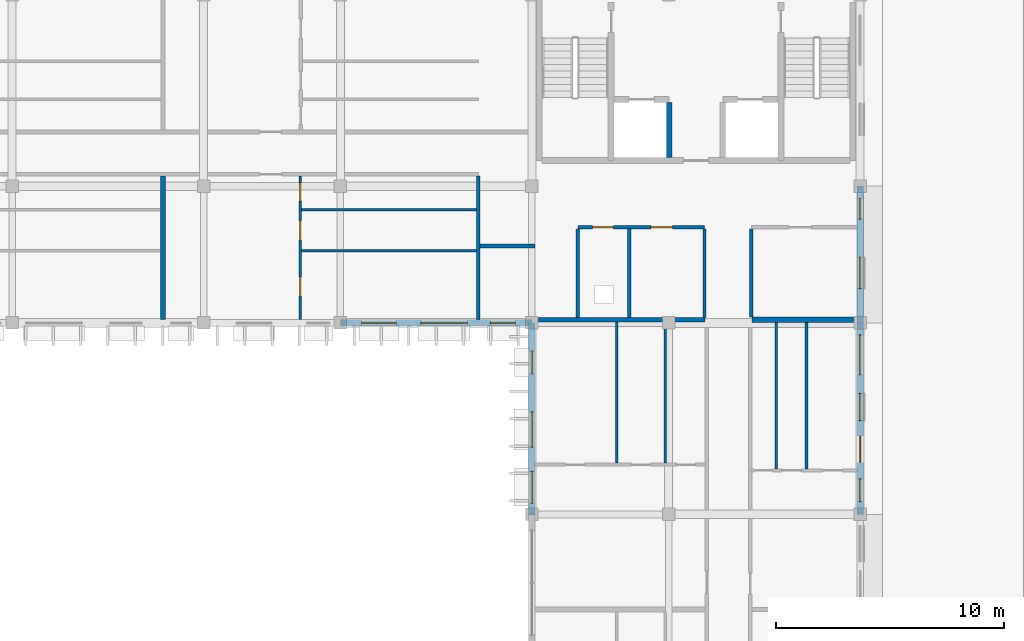
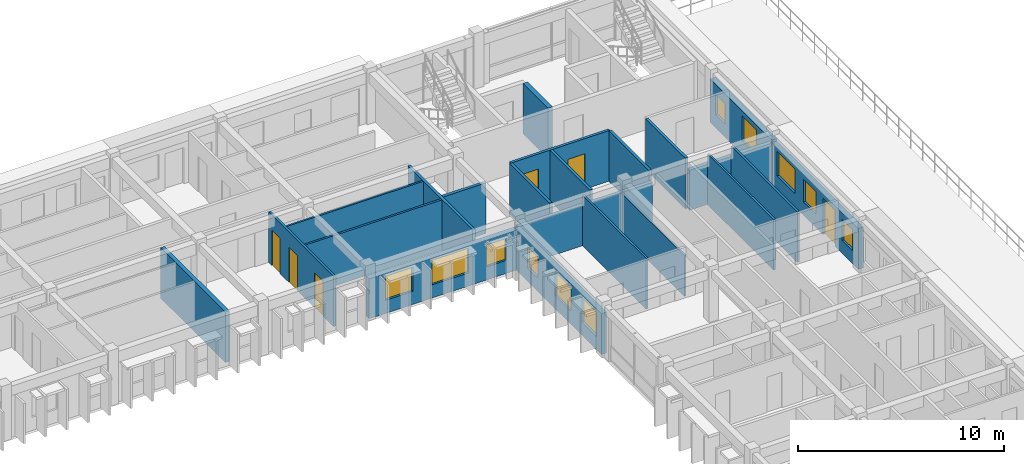
# One storey, part 44 of 68: 22 walls, 11 windows, 6 doors, 17 openings.
"""IFC4 building model written with IfcOpenShell, lengths in metres."""

from ifc_helpers import new_model, si_unit, direction, frame, frame_2d, origin, place, context, subcontext, project, spatial, rectangle, extrude, material, layer, layer_set, type_object, element, fill, save


model = new_model("IFC4")

# Units and contexts
model_context = context("Model", 3, precision=1e-05, world=origin(), true_north=direction((0.0, 1.0)))
body_context = subcontext(model_context, "Body", "Model", "MODEL_VIEW")
ifc_project = project(units=[si_unit("LENGTHUNIT", "METRE"), si_unit("AREAUNIT", "SQUARE_METRE"), si_unit("VOLUMEUNIT", "CUBIC_METRE"), si_unit("PLANEANGLEUNIT", "RADIAN"), si_unit("MASSUNIT", "GRAM", prefix="KILO"), si_unit("THERMODYNAMICTEMPERATUREUNIT", "KELVIN")], contexts=[model_context])

# Site, building, storey
site_placement = place(None, origin())
site = spatial("IfcSite", under=ifc_project, at=site_placement, CompositionType="ELEMENT")
building_placement = place(site_placement, origin())
building = spatial("IfcBuilding", under=site, at=building_placement, Name="Thalorik Housing Commons", CompositionType="ELEMENT")
storey_placement = place(building_placement, frame((0.0, 0.0, 24.60009765625)))
storey = spatial("IfcBuildingStorey", under=building, at=storey_placement, Name="L07", CompositionType="ELEMENT", Elevation=24.60009765625)

# Walls
ifc_material_1 = material(Name="Concrete C40/50", Category="concrete")
ifc_layer_1 = layer(ifc_material_1, 0.25, Name="Concrete C40/50", Category="concrete")
ifc_layer_set_1 = layer_set([ifc_layer_1], Name="Concrete C40/50")
wall_type_1 = type_object("IfcWallType", Name="ARC-WAL-CORE-250", PredefinedType="SHEAR", material=ifc_layer_set_1)
wall_1_placement = place(storey_placement, frame((158.425048828125, 118.875, 0.0), z_axis=(0.0, 0.0, 1.0), x_axis=(0.0, -1.0, 0.0)))
element("IfcWall", 1, at=wall_1_placement, inside=storey, type_object=wall_type_1, Name="L07 Lift 1 Cheek Wall", PredefinedType="SHEAR", context=body_context, shape_type="SweptSolid", body=[
    extrude(rectangle(XDim=2.425048828125, YDim=0.25, at=frame_2d((1.21240234375, 0.0))), origin(), (0.0, 0.0, 1.0), 3.0),
])
ifc_material_2 = material(Name="Masonry fire-rated corridor wall", Category="masonry")
ifc_layer_2 = layer(ifc_material_2, 0.14990234375, Name="Masonry fire-rated corridor wall", Category="masonry")
ifc_layer_set_2 = layer_set([ifc_layer_2], Name="Masonry fire-rated corridor wall")
wall_type_2 = type_object("IfcWallType", Name="ARC-WAL-CORR-150", PredefinedType="PARTITIONING", material=ifc_layer_set_2)
wall_2_placement = place(storey_placement, frame((150.050048828125, 109.346923828125, 0.0), z_axis=(0.0, 0.0, 1.0), x_axis=(0.0, 1.0, 0.0)))
element("IfcWall", 2, at=wall_2_placement, inside=storey, type_object=wall_type_2, Name="L07 Block B Vestibule Cheek Wall", PredefinedType="PARTITIONING", context=body_context, shape_type="SweptSolid", body=[
    extrude(rectangle(XDim=6.296142578125, YDim=0.14990234375, at=frame_2d((3.14794921875, 0.0))), origin(), (0.0, 0.0, 1.0), 3.0),
])
ifc_layer_3 = layer(ifc_material_2, 0.1650390625, Name="Masonry fire-rated corridor wall", Category="masonry")
ifc_layer_set_3 = layer_set([ifc_layer_3], Name="Masonry fire-rated corridor wall")
wall_type_3 = type_object("IfcWallType", Name="ARC-WAL-CORR-165", PredefinedType="PARTITIONING", material=ifc_layer_set_3)
wall_3_placement = place(storey_placement, frame((150.126953125, 112.570068359375, 0.0), z_axis=(0.0, 0.0, 1.0), x_axis=(1.0, 0.0, 0.0)))
element("IfcWall", 3, at=wall_3_placement, inside=storey, type_object=wall_type_3, Name="L07 Block B Vestibule South Wall", PredefinedType="PARTITIONING", context=body_context, shape_type="SweptSolid", body=[
    extrude(rectangle(XDim=2.4130859375, YDim=0.1650390625, at=frame_2d((1.20654296875, 0.0))), origin(), (0.0, 0.0, 1.0), 3.0),
])

# Wall, openings, windows
ifc_material_3 = material(Name="White precast concrete C40/50", Category="concrete")
ifc_layer_4 = layer(ifc_material_3, 0.2900390625, Name="White precast concrete C40/50", Category="concrete")
ifc_layer_set_4 = layer_set([ifc_layer_4], Name="White precast concrete C40/50")
wall_type_4 = type_object("IfcWallType", Name="ARC-WAL-EXT-290", PredefinedType="STANDARD", material=ifc_layer_set_4)
wall_4_placement = place(storey_placement, frame((166.800048828125, 109.199951171875, 0.0), z_axis=(0.0, 0.0, 1.0), x_axis=(0.0, 1.0, 0.0)))
wall_4 = element("IfcWall", 4, at=wall_4_placement, inside=storey, type_object=wall_type_4, Name="L07 Exterior Wall WAL-EXT-L07-B-0635", PredefinedType="STANDARD", context=body_context, shape_type="SweptSolid", body=[
    extrude(rectangle(XDim=6.0, YDim=0.2900390625, at=frame_2d((3.0, 0.0))), origin(), (0.0, 0.0, 1.0), 2.574951171875),
])
opening_1_placement = place(wall_4_placement, frame((1.5048828125, 0.0, 0.780029296875)))
opening_1 = element("IfcOpeningElement", 5, at=opening_1_placement, cuts=wall_4, Name="Opening W-49", PredefinedType="OPENING", context=body_context, shape_type="SweptSolid", body=[
    extrude(rectangle(XDim=1.3798828125, YDim=1.47998046875, at=frame_2d((0.68994140625, 0.739990234375))), frame((0.0, 0.155029296875, 0.0), z_axis=(0.0, -1.0, 0.0), x_axis=(1.0, 0.0, 0.0)), (0.0, 0.0, 1.0), 0.31005859375),
])
opening_2_placement = place(wall_4_placement, frame((4.554931640625, 0.0, 0.780029296875)))
opening_2 = element("IfcOpeningElement", 6, at=opening_2_placement, cuts=wall_4, Name="Opening W-01", PredefinedType="OPENING", context=body_context, shape_type="SweptSolid", body=[
    extrude(rectangle(XDim=0.89990234375, YDim=1.199951171875, at=frame_2d((0.449951171875, 0.60009765625))), frame((0.0, 0.155029296875, 0.0), z_axis=(0.0, -1.0, 0.0), x_axis=(1.0, 0.0, 0.0)), (0.0, 0.0, 1.0), 0.31005859375),
])
ifc_material_4 = material(Name="Anodised aluminium and solar-control low-E glass", Category="aluminium")
window_type_1 = type_object("IfcWindowType", Name="ARC-WIN-01", PartitioningType="SINGLE_PANEL", PredefinedType="WINDOW", material=ifc_material_4)
window_1_placement = place(opening_2_placement, origin())
window_1 = element("IfcWindow", 7, at=window_1_placement, inside=storey, type_object=window_type_1, Name="L07 Facade Window 1164", OverallHeight=1.199951171875, OverallWidth=0.89990234375, PartitioningType="SINGLE_PANEL", PredefinedType="WINDOW", context=body_context, shape_type="SweptSolid", body=[
    extrude(rectangle(XDim=0.89990234375, YDim=1.199951171875, at=frame_2d((0.449951171875, 0.60009765625))), frame((0.0, 0.030029296875, 0.0), z_axis=(0.0, -1.0, 0.0), x_axis=(1.0, 0.0, 0.0)), (0.0, 0.0, 1.0), 0.06005859375),
])
fill(opening_2, window_1)
window_type_2 = type_object("IfcWindowType", Name="ARC-WIN-49", PartitioningType="SINGLE_PANEL", PredefinedType="WINDOW", material=ifc_material_4)
window_2_placement = place(opening_1_placement, origin())
window_2 = element("IfcWindow", 8, at=window_2_placement, inside=storey, type_object=window_type_2, Name="L07 Facade Window 1163", OverallHeight=1.47998046875, OverallWidth=1.3798828125, PartitioningType="SINGLE_PANEL", PredefinedType="WINDOW", context=body_context, shape_type="SweptSolid", body=[
    extrude(rectangle(XDim=1.3798828125, YDim=1.47998046875, at=frame_2d((0.68994140625, 0.739990234375))), frame((0.0, 0.030029296875, 0.0), z_axis=(0.0, -1.0, 0.0), x_axis=(1.0, 0.0, 0.0)), (0.0, 0.0, 1.0), 0.06005859375),
])
fill(opening_1, window_2)

wall_5_placement = place(storey_placement, frame((144.0, 109.199951171875, 0.0), z_axis=(0.0, 0.0, 1.0), x_axis=(1.0, 0.0, 0.0)))
wall_5 = element("IfcWall", 9, at=wall_5_placement, inside=storey, type_object=wall_type_4, Name="L07 Exterior Wall WAL-EXT-L07-B-0660", PredefinedType="STANDARD", context=body_context, shape_type="SweptSolid", body=[
    extrude(rectangle(XDim=8.39990234375, YDim=0.2900390625, at=frame_2d((4.199951171875, 0.0))), origin(), (0.0, 0.0, 1.0), 2.375),
])
opening_3_placement = place(wall_5_placement, frame((0.929931640625, 0.0, 0.780029296875)))
opening_3 = element("IfcOpeningElement", 10, at=opening_3_placement, cuts=wall_5, Name="Opening W-52", PredefinedType="OPENING", context=body_context, shape_type="SweptSolid", body=[
    extrude(rectangle(XDim=1.52001953125, YDim=1.419921875, at=frame_2d((0.760009765625, 0.7099609375))), frame((0.0, 0.155029296875, 0.0), z_axis=(0.0, -1.0, 0.0), x_axis=(1.0, 0.0, 0.0)), (0.0, 0.0, 1.0), 0.31005859375),
])
opening_4_placement = place(wall_5_placement, frame((3.530029296875, 0.0, 0.780029296875)))
opening_4 = element("IfcOpeningElement", 11, at=opening_4_placement, cuts=wall_5, Name="Opening W-62", PredefinedType="OPENING", context=body_context, shape_type="SweptSolid", body=[
    extrude(rectangle(XDim=2.0400390625, YDim=1.4599609375, at=frame_2d((1.02001953125, 0.72998046875))), frame((0.0, 0.155029296875, 0.0), z_axis=(0.0, -1.0, 0.0), x_axis=(1.0, 0.0, 0.0)), (0.0, 0.0, 1.0), 0.31005859375),
])
opening_5_placement = place(wall_5_placement, frame((6.580078125, 0.0, 0.780029296875)))
opening_5 = element("IfcOpeningElement", 12, at=opening_5_placement, cuts=wall_5, Name="Opening W-03", PredefinedType="OPENING", context=body_context, shape_type="SweptSolid", body=[
    extrude(rectangle(XDim=1.10009765625, YDim=1.300048828125, at=frame_2d((0.550048828125, 0.64990234375))), frame((0.0, 0.155029296875, 0.0), z_axis=(0.0, -1.0, 0.0), x_axis=(1.0, 0.0, 0.0)), (0.0, 0.0, 1.0), 0.31005859375),
])
window_type_3 = type_object("IfcWindowType", Name="ARC-WIN-03", PartitioningType="SINGLE_PANEL", PredefinedType="WINDOW", material=ifc_material_4)
window_3_placement = place(opening_5_placement, origin())
window_3 = element("IfcWindow", 13, at=window_3_placement, inside=storey, type_object=window_type_3, Name="L07 Facade Window 1208", OverallHeight=1.300048828125, OverallWidth=1.10009765625, PartitioningType="SINGLE_PANEL", PredefinedType="WINDOW", context=body_context, shape_type="SweptSolid", body=[
    extrude(rectangle(XDim=1.10009765625, YDim=1.300048828125, at=frame_2d((0.550048828125, 0.64990234375))), frame((0.0, 0.030029296875, 0.0), z_axis=(0.0, -1.0, 0.0), x_axis=(1.0, 0.0, 0.0)), (0.0, 0.0, 1.0), 0.06005859375),
])
fill(opening_5, window_3)
window_type_4 = type_object("IfcWindowType", Name="ARC-WIN-52", PartitioningType="SINGLE_PANEL", PredefinedType="WINDOW", material=ifc_material_4)
window_4_placement = place(opening_3_placement, origin())
window_4 = element("IfcWindow", 14, at=window_4_placement, inside=storey, type_object=window_type_4, Name="L07 Facade Window 1206", OverallHeight=1.419921875, OverallWidth=1.52001953125, PartitioningType="SINGLE_PANEL", PredefinedType="WINDOW", context=body_context, shape_type="SweptSolid", body=[
    extrude(rectangle(XDim=1.52001953125, YDim=1.419921875, at=frame_2d((0.760009765625, 0.7099609375))), frame((0.0, 0.030029296875, 0.0), z_axis=(0.0, -1.0, 0.0), x_axis=(1.0, 0.0, 0.0)), (0.0, 0.0, 1.0), 0.06005859375),
])
fill(opening_3, window_4)
window_type_5 = type_object("IfcWindowType", Name="ARC-WIN-62", PartitioningType="DOUBLE_PANEL_VERTICAL", PredefinedType="WINDOW", material=ifc_material_4)
window_5_placement = place(opening_4_placement, origin())
window_5 = element("IfcWindow", 15, at=window_5_placement, inside=storey, type_object=window_type_5, Name="L07 Facade Window 1207", OverallHeight=1.4599609375, OverallWidth=2.0400390625, PartitioningType="DOUBLE_PANEL_VERTICAL", PredefinedType="WINDOW", context=body_context, shape_type="SweptSolid", body=[
    extrude(rectangle(XDim=2.0400390625, YDim=1.4599609375, at=frame_2d((1.02001953125, 0.72998046875))), frame((0.0, 0.030029296875, 0.0), z_axis=(0.0, -1.0, 0.0), x_axis=(1.0, 0.0, 0.0)), (0.0, 0.0, 1.0), 0.06005859375),
])
fill(opening_4, window_5)

wall_6_placement = place(storey_placement, frame((152.39990234375, 109.199951171875, 0.0), z_axis=(0.0, 0.0, 1.0), x_axis=(0.0, -1.0, 0.0)))
wall_6 = element("IfcWall", 16, at=wall_6_placement, inside=storey, type_object=wall_type_4, Name="L07 Exterior Wall WAL-EXT-L07-B-0661", PredefinedType="STANDARD", context=body_context, shape_type="SweptSolid", body=[
    extrude(rectangle(XDim=8.39990234375, YDim=0.2900390625, at=frame_2d((4.199951171875, 0.0))), origin(), (0.0, 0.0, 1.0), 2.4248046875),
])
opening_6_placement = place(wall_6_placement, frame((1.231201171875, 0.0, 0.780029296875)))
opening_6 = element("IfcOpeningElement", 17, at=opening_6_placement, cuts=wall_6, Name="Opening W-02", PredefinedType="OPENING", context=body_context, shape_type="SweptSolid", body=[
    extrude(rectangle(XDim=1.0, YDim=1.25, at=frame_2d((0.5, 0.625))), frame((0.0, 0.155029296875, 0.0), z_axis=(0.0, -1.0, 0.0), x_axis=(1.0, 0.0, 0.0)), (0.0, 0.0, 1.0), 0.31005859375),
])
opening_7_placement = place(wall_6_placement, frame((3.898681640625, 0.0, 0.780029296875)))
opening_7 = element("IfcOpeningElement", 18, at=opening_7_placement, cuts=wall_6, Name="Opening W-12", PredefinedType="OPENING", context=body_context, shape_type="SweptSolid", body=[
    extrude(rectangle(XDim=1.550048828125, YDim=1.39990234375, at=frame_2d((0.77490234375, 0.699951171875))), frame((0.0, 0.155029296875, 0.0), z_axis=(0.0, -1.0, 0.0), x_axis=(1.0, 0.0, 0.0)), (0.0, 0.0, 1.0), 0.31005859375),
])
opening_8_placement = place(wall_6_placement, frame((6.512451171875, 0.0, 0.780029296875)))
opening_8 = element("IfcOpeningElement", 19, at=opening_8_placement, cuts=wall_6, Name="Opening W-08", PredefinedType="OPENING", context=body_context, shape_type="SweptSolid", body=[
    extrude(rectangle(XDim=1.39990234375, YDim=1.449951171875, at=frame_2d((0.699951171875, 0.72509765625))), frame((0.0, 0.155029296875, 0.0), z_axis=(0.0, -1.0, 0.0), x_axis=(1.0, 0.0, 0.0)), (0.0, 0.0, 1.0), 0.31005859375),
])
window_type_6 = type_object("IfcWindowType", Name="ARC-WIN-02", PartitioningType="SINGLE_PANEL", PredefinedType="WINDOW", material=ifc_material_4)
window_6_placement = place(opening_6_placement, origin())
window_6 = element("IfcWindow", 20, at=window_6_placement, inside=storey, type_object=window_type_6, Name="L07 Facade Window 1209", OverallHeight=1.25, OverallWidth=1.0, PartitioningType="SINGLE_PANEL", PredefinedType="WINDOW", context=body_context, shape_type="SweptSolid", body=[
    extrude(rectangle(XDim=1.0, YDim=1.25, at=frame_2d((0.5, 0.625))), frame((0.0, 0.030029296875, 0.0), z_axis=(0.0, -1.0, 0.0), x_axis=(1.0, 0.0, 0.0)), (0.0, 0.0, 1.0), 0.06005859375),
])
fill(opening_6, window_6)
window_type_7 = type_object("IfcWindowType", Name="ARC-WIN-08", PartitioningType="SINGLE_PANEL", PredefinedType="WINDOW", material=ifc_material_4)
window_7_placement = place(opening_8_placement, origin())
window_7 = element("IfcWindow", 21, at=window_7_placement, inside=storey, type_object=window_type_7, Name="L07 Facade Window 1211", OverallHeight=1.449951171875, OverallWidth=1.39990234375, PartitioningType="SINGLE_PANEL", PredefinedType="WINDOW", context=body_context, shape_type="SweptSolid", body=[
    extrude(rectangle(XDim=1.39990234375, YDim=1.449951171875, at=frame_2d((0.699951171875, 0.72509765625))), frame((0.0, 0.030029296875, 0.0), z_axis=(0.0, -1.0, 0.0), x_axis=(1.0, 0.0, 0.0)), (0.0, 0.0, 1.0), 0.06005859375),
])
fill(opening_8, window_7)
window_type_8 = type_object("IfcWindowType", Name="ARC-WIN-12", PartitioningType="SINGLE_PANEL", PredefinedType="WINDOW", material=ifc_material_4)
window_8_placement = place(opening_7_placement, origin())
window_8 = element("IfcWindow", 22, at=window_8_placement, inside=storey, type_object=window_type_8, Name="L07 Facade Window 1210", OverallHeight=1.39990234375, OverallWidth=1.550048828125, PartitioningType="SINGLE_PANEL", PredefinedType="WINDOW", context=body_context, shape_type="SweptSolid", body=[
    extrude(rectangle(XDim=1.550048828125, YDim=1.39990234375, at=frame_2d((0.77490234375, 0.699951171875))), frame((0.0, 0.030029296875, 0.0), z_axis=(0.0, -1.0, 0.0), x_axis=(1.0, 0.0, 0.0)), (0.0, 0.0, 1.0), 0.06005859375),
])
fill(opening_7, window_8)

# Wall, openings, door, windows
wall_7_placement = place(storey_placement, frame((166.800048828125, 100.800048828125, 0.0), z_axis=(0.0, 0.0, 1.0), x_axis=(0.0, 1.0, 0.0)))
wall_7 = element("IfcWall", 23, at=wall_7_placement, inside=storey, type_object=wall_type_4, Name="L07 Exterior Wall WAL-EXT-L07-B-0670", PredefinedType="STANDARD", context=body_context, shape_type="SweptSolid", body=[
    extrude(rectangle(XDim=8.39990234375, YDim=0.2900390625, at=frame_2d((4.199951171875, 0.0))), origin(), (0.0, 0.0, 1.0), 2.4248046875),
])
opening_9_placement = place(wall_7_placement, frame((2.28076171875, 0.0, 0.0)))
opening_9 = element("IfcOpeningElement", 24, at=opening_9_placement, cuts=wall_7, Name="Opening ED-0221", PredefinedType="OPENING", context=body_context, shape_type="SweptSolid", body=[
    extrude(rectangle(XDim=1.14990234375, YDim=2.14990234375, at=frame_2d((0.574951171875, 1.074951171875))), frame((0.0, 0.155029296875, 0.0), z_axis=(0.0, -1.0, 0.0), x_axis=(1.0, 0.0, 0.0)), (0.0, 0.0, 1.0), 0.31005859375),
])
opening_10_placement = place(wall_7_placement, frame((4.113037109375, 0.0, 0.780029296875)))
opening_10 = element("IfcOpeningElement", 25, at=opening_10_placement, cuts=wall_7, Name="Opening W-04", PredefinedType="OPENING", context=body_context, shape_type="SweptSolid", body=[
    extrude(rectangle(XDim=1.199951171875, YDim=1.35009765625, at=frame_2d((0.60009765625, 0.675048828125))), frame((0.0, 0.155029296875, 0.0), z_axis=(0.0, -1.0, 0.0), x_axis=(1.0, 0.0, 0.0)), (0.0, 0.0, 1.0), 0.31005859375),
])
opening_11_placement = place(wall_7_placement, frame((6.122802734375, 0.0, 0.780029296875)))
opening_11 = element("IfcOpeningElement", 26, at=opening_11_placement, cuts=wall_7, Name="Opening W-17", PredefinedType="OPENING", context=body_context, shape_type="SweptSolid", body=[
    extrude(rectangle(XDim=1.75, YDim=1.449951171875, at=frame_2d((0.875, 0.72509765625))), frame((0.0, 0.155029296875, 0.0), z_axis=(0.0, -1.0, 0.0), x_axis=(1.0, 0.0, 0.0)), (0.0, 0.0, 1.0), 0.31005859375),
])
opening_12_placement = place(wall_7_placement, frame((0.560302734375, 0.0, 0.780029296875)))
opening_12 = element("IfcOpeningElement", 27, at=opening_12_placement, cuts=wall_7, Name="Opening W-02", PredefinedType="OPENING", context=body_context, shape_type="SweptSolid", body=[
    extrude(rectangle(XDim=1.0, YDim=1.25, at=frame_2d((0.5, 0.625))), frame((0.0, 0.155029296875, 0.0), z_axis=(0.0, -1.0, 0.0), x_axis=(1.0, 0.0, 0.0)), (0.0, 0.0, 1.0), 0.31005859375),
])
ifc_material_5 = material(Name="Anodised aluminium and laminated safety glass", Category="aluminium")
door_type_1 = type_object("IfcDoorType", Name="ARC-DR-TERR-1150", OperationType="NOTDEFINED", PredefinedType="DOOR", material=ifc_material_5)
door_1_placement = place(opening_9_placement, frame((1.14990234375, 0.0, 0.0), z_axis=(0.0, 0.0, 1.0), x_axis=(-1.0, 0.0, 0.0)))
door_1 = element("IfcDoor", 28, at=door_1_placement, inside=storey, type_object=door_type_1, Name="L07 Block B L07 East Sky-Garden Terrace Access Door", OperationType="SINGLE_SWING_RIGHT", OverallHeight=2.14990234375, OverallWidth=1.14990234375, PredefinedType="DOOR", context=body_context, shape_type="SweptSolid", body=[
    extrude(rectangle(XDim=1.14990234375, YDim=2.14990234375, at=frame_2d((0.574951171875, 1.074951171875))), frame((0.0, 0.02490234375, 0.0), z_axis=(0.0, -1.0, 0.0), x_axis=(1.0, 0.0, 0.0)), (0.0, 0.0, 1.0), 0.050048828125),
])
fill(opening_9, door_1)
window_9_placement = place(opening_12_placement, origin())
window_9 = element("IfcWindow", 29, at=window_9_placement, inside=storey, type_object=window_type_6, Name="L07 Facade Window 1228", OverallHeight=1.25, OverallWidth=1.0, PartitioningType="SINGLE_PANEL", PredefinedType="WINDOW", context=body_context, shape_type="SweptSolid", body=[
    extrude(rectangle(XDim=1.0, YDim=1.25, at=frame_2d((0.5, 0.625))), frame((0.0, 0.030029296875, 0.0), z_axis=(0.0, -1.0, 0.0), x_axis=(1.0, 0.0, 0.0)), (0.0, 0.0, 1.0), 0.06005859375),
])
fill(opening_12, window_9)
window_type_9 = type_object("IfcWindowType", Name="ARC-WIN-04", PartitioningType="SINGLE_PANEL", PredefinedType="WINDOW", material=ifc_material_4)
window_10_placement = place(opening_10_placement, origin())
window_10 = element("IfcWindow", 30, at=window_10_placement, inside=storey, type_object=window_type_9, Name="L07 Facade Window 1226", OverallHeight=1.35009765625, OverallWidth=1.199951171875, PartitioningType="SINGLE_PANEL", PredefinedType="WINDOW", context=body_context, shape_type="SweptSolid", body=[
    extrude(rectangle(XDim=1.199951171875, YDim=1.35009765625, at=frame_2d((0.60009765625, 0.675048828125))), frame((0.0, 0.030029296875, 0.0), z_axis=(0.0, -1.0, 0.0), x_axis=(1.0, 0.0, 0.0)), (0.0, 0.0, 1.0), 0.06005859375),
])
fill(opening_10, window_10)
window_type_10 = type_object("IfcWindowType", Name="ARC-WIN-17", PartitioningType="DOUBLE_PANEL_VERTICAL", PredefinedType="WINDOW", material=ifc_material_4)
window_11_placement = place(opening_11_placement, origin())
window_11 = element("IfcWindow", 31, at=window_11_placement, inside=storey, type_object=window_type_10, Name="L07 Facade Window 1227", OverallHeight=1.449951171875, OverallWidth=1.75, PartitioningType="DOUBLE_PANEL_VERTICAL", PredefinedType="WINDOW", context=body_context, shape_type="SweptSolid", body=[
    extrude(rectangle(XDim=1.75, YDim=1.449951171875, at=frame_2d((0.875, 0.72509765625))), frame((0.0, 0.030029296875, 0.0), z_axis=(0.0, -1.0, 0.0), x_axis=(1.0, 0.0, 0.0)), (0.0, 0.0, 1.0), 0.06005859375),
])
fill(opening_11, window_11)

# Walls
ifc_material_6 = material(Name="Gypsum light stud partition", Category="masonry")
ifc_layer_5 = layer(ifc_material_6, 0.10009765625, Name="Gypsum light stud partition", Category="masonry")
ifc_layer_set_5 = layer_set([ifc_layer_5], Name="Gypsum light stud partition")
wall_type_5 = type_object("IfcWallType", Name="ARC-WAL-PART-100", PredefinedType="PARTITIONING", material=ifc_layer_set_5)
wall_8_placement = place(storey_placement, frame((142.299560546875, 114.169677734375, 0.0), z_axis=(0.0, 0.0, 1.0), x_axis=(1.0, 0.0, 0.0)))
element("IfcWall", 32, at=wall_8_placement, inside=storey, type_object=wall_type_5, Name="L07 Unit 4 Wet Wall", PredefinedType="PARTITIONING", context=body_context, shape_type="SweptSolid", body=[
    extrude(rectangle(XDim=7.67333984375, YDim=0.10009765625, at=frame_2d((3.836669921875, 0.0))), origin(), (0.0, 0.0, 1.0), 3.0),
])
wall_9_placement = place(storey_placement, frame((158.251220703125, 103.049560546875, 0.0), z_axis=(0.0, 0.0, 1.0), x_axis=(0.0, 1.0, 0.0)))
element("IfcWall", 33, at=wall_9_placement, inside=storey, type_object=wall_type_5, Name="L07 Unit 3 Wet Wall", PredefinedType="PARTITIONING", context=body_context, shape_type="SweptSolid", body=[
    extrude(rectangle(XDim=6.1884765625, YDim=0.10009765625, at=frame_2d((3.09423828125, 0.0))), origin(), (0.0, 0.0, 1.0), 2.4248046875),
])
ifc_material_7 = material(Name="Gypsum moisture-resistant partition", Category="masonry")
ifc_layer_6 = layer(ifc_material_7, 0.114990234375, Name="Gypsum moisture-resistant partition", Category="masonry")
ifc_layer_set_6 = layer_set([ifc_layer_6], Name="Gypsum moisture-resistant partition")
wall_type_6 = type_object("IfcWallType", Name="ARC-WAL-PART-115", PredefinedType="PARTITIONING", material=ifc_layer_set_6)
wall_10_placement = place(storey_placement, frame((142.299560546875, 112.36083984375, 0.0), z_axis=(0.0, 0.0, 1.0), x_axis=(1.0, 0.0, 0.0)))
element("IfcWall", 34, at=wall_10_placement, inside=storey, type_object=wall_type_6, Name="L07 Unit 4 Bedroom Partition", PredefinedType="PARTITIONING", context=body_context, shape_type="SweptSolid", body=[
    extrude(rectangle(XDim=7.67333984375, YDim=0.114990234375, at=frame_2d((3.836669921875, 0.0))), origin(), (0.0, 0.0, 1.0), 3.0),
])
wall_11_placement = place(storey_placement, frame((156.11767578125, 103.049560546875, 0.0), z_axis=(0.0, 0.0, 1.0), x_axis=(0.0, 1.0, 0.0)))
element("IfcWall", 35, at=wall_11_placement, inside=storey, type_object=wall_type_6, Name="L07 Unit 3 Bedroom Partition", PredefinedType="PARTITIONING", context=body_context, shape_type="SweptSolid", body=[
    extrude(rectangle(XDim=6.1884765625, YDim=0.114990234375, at=frame_2d((3.09423828125, 0.0))), origin(), (0.0, 0.0, 1.0), 3.0),
])
wall_12_placement = place(storey_placement, frame((163.122314453125, 102.802734375, 0.0), z_axis=(0.0, 0.0, 1.0), x_axis=(0.0, 1.0, 0.0)))
element("IfcWall", 36, at=wall_12_placement, inside=storey, type_object=wall_type_6, Name="L07 Unit 3B Wet Wall", PredefinedType="PARTITIONING", context=body_context, shape_type="SweptSolid", body=[
    extrude(rectangle(XDim=6.42529296875, YDim=0.114990234375, at=frame_2d((3.212646484375, 0.0))), origin(), (0.0, 0.0, 1.0), 3.0),
])

# Wall, openings, doors
ifc_material_8 = material(Name="Gypsum acoustic stud partition", Category="masonry")
ifc_layer_7 = layer(ifc_material_8, 0.125, Name="Gypsum acoustic stud partition", Category="masonry")
ifc_layer_set_7 = layer_set([ifc_layer_7], Name="Gypsum acoustic stud partition")
wall_type_7 = type_object("IfcWallType", Name="ARC-WAL-PART-125", PredefinedType="PARTITIONING", material=ifc_layer_set_7)
wall_13_placement = place(storey_placement, frame((142.235107421875, 109.346923828125, 0.0), z_axis=(0.0, 0.0, 1.0), x_axis=(0.0, 1.0, 0.0)))
wall_13 = element("IfcWall", 37, at=wall_13_placement, inside=storey, type_object=wall_type_7, Name="L07 Unit 4 Spine Partition", PredefinedType="PARTITIONING", context=body_context, shape_type="SweptSolid", body=[
    extrude(rectangle(XDim=6.296142578125, YDim=0.125, at=frame_2d((3.14794921875, 0.0))), origin(), (0.0, 0.0, 1.0), 3.0),
])
opening_13_placement = place(wall_13_placement, frame((1.038330078125, 0.0, 0.0)))
opening_13 = element("IfcOpeningElement", 38, at=opening_13_placement, cuts=wall_13, Name="Opening ID-1296", PredefinedType="OPENING", context=body_context, shape_type="SweptSolid", body=[
    extrude(rectangle(XDim=0.820068359375, YDim=2.080078125, at=frame_2d((0.41015625, 1.0400390625))), frame((0.0, 0.072509765625, 0.0), z_axis=(0.0, -1.0, 0.0), x_axis=(1.0, 0.0, 0.0)), (0.0, 0.0, 1.0), 0.14501953125),
])
opening_14_placement = place(wall_13_placement, frame((3.4931640625, 0.0, 0.0)))
opening_14 = element("IfcOpeningElement", 39, at=opening_14_placement, cuts=wall_13, Name="Opening ID-1297", PredefinedType="OPENING", context=body_context, shape_type="SweptSolid", body=[
    extrude(rectangle(XDim=0.85009765625, YDim=2.10009765625, at=frame_2d((0.425048828125, 1.050048828125))), frame((0.0, 0.072509765625, 0.0), z_axis=(0.0, -1.0, 0.0), x_axis=(1.0, 0.0, 0.0)), (0.0, 0.0, 1.0), 0.14501953125),
])
opening_15_placement = place(wall_13_placement, frame((5.19775390625, 0.0, 0.0)))
opening_15 = element("IfcOpeningElement", 40, at=opening_15_placement, cuts=wall_13, Name="Opening ID-1298", PredefinedType="OPENING", context=body_context, shape_type="SweptSolid", body=[
    extrude(rectangle(XDim=0.800048828125, YDim=2.10009765625, at=frame_2d((0.39990234375, 1.050048828125))), frame((0.0, 0.072509765625, 0.0), z_axis=(0.0, -1.0, 0.0), x_axis=(1.0, 0.0, 0.0)), (0.0, 0.0, 1.0), 0.14501953125),
])
ifc_material_9 = material(Name="Moisture-resistant timber", Category="wood")
door_type_2 = type_object("IfcDoorType", Name="ARC-DR-INT-800", OperationType="NOTDEFINED", PredefinedType="DOOR", material=ifc_material_9)
door_2_placement = place(opening_15_placement, origin())
door_2 = element("IfcDoor", 41, at=door_2_placement, inside=storey, type_object=door_type_2, Name="L07 Flat Bathroom Door", OperationType="SINGLE_SWING_LEFT", OverallHeight=2.10009765625, OverallWidth=0.800048828125, PredefinedType="DOOR", context=body_context, shape_type="SweptSolid", body=[
    extrude(rectangle(XDim=0.800048828125, YDim=2.10009765625, at=frame_2d((0.39990234375, 1.050048828125))), frame((0.0, 0.02490234375, 0.0), z_axis=(0.0, -1.0, 0.0), x_axis=(1.0, 0.0, 0.0)), (0.0, 0.0, 1.0), 0.050048828125),
])
fill(opening_15, door_2)
ifc_material_10 = material(Name="Engineered oak timber", Category="wood")
door_type_3 = type_object("IfcDoorType", Name="ARC-DR-INT-820", OperationType="NOTDEFINED", PredefinedType="DOOR", material=ifc_material_10)
door_3_placement = place(opening_13_placement, origin())
door_3 = element("IfcDoor", 42, at=door_3_placement, inside=storey, type_object=door_type_3, Name="L07 Single Bedroom Door", OperationType="SINGLE_SWING_LEFT", OverallHeight=2.080078125, OverallWidth=0.820068359375, PredefinedType="DOOR", context=body_context, shape_type="SweptSolid", body=[
    extrude(rectangle(XDim=0.820068359375, YDim=2.080078125, at=frame_2d((0.41015625, 1.0400390625))), frame((0.0, 0.02490234375, 0.0), z_axis=(0.0, -1.0, 0.0), x_axis=(1.0, 0.0, 0.0)), (0.0, 0.0, 1.0), 0.050048828125),
])
fill(opening_13, door_3)
door_type_4 = type_object("IfcDoorType", Name="ARC-DR-INT-850", OperationType="NOTDEFINED", PredefinedType="DOOR", material=ifc_material_10)
door_4_placement = place(opening_14_placement, origin())
door_4 = element("IfcDoor", 43, at=door_4_placement, inside=storey, type_object=door_type_4, Name="L07 Galley Kitchen Door", OperationType="SINGLE_SWING_RIGHT", OverallHeight=2.10009765625, OverallWidth=0.85009765625, PredefinedType="DOOR", context=body_context, shape_type="SweptSolid", body=[
    extrude(rectangle(XDim=0.85009765625, YDim=2.10009765625, at=frame_2d((0.425048828125, 1.050048828125))), frame((0.0, 0.02490234375, 0.0), z_axis=(0.0, -1.0, 0.0), x_axis=(1.0, 0.0, 0.0)), (0.0, 0.0, 1.0), 0.050048828125),
])
fill(opening_14, door_4)

# Walls
wall_14_placement = place(storey_placement, frame((164.455078125, 102.802734375, 0.0), z_axis=(0.0, 0.0, 1.0), x_axis=(0.0, 1.0, 0.0)))
element("IfcWall", 44, at=wall_14_placement, inside=storey, type_object=wall_type_7, Name="L07 Unit 3B Bedroom Partition", PredefinedType="PARTITIONING", context=body_context, shape_type="SweptSolid", body=[
    extrude(rectangle(XDim=6.42529296875, YDim=0.125, at=frame_2d((3.212646484375, 0.0))), origin(), (0.0, 0.0, 1.0), 3.0),
])
ifc_material_11 = material(Name="Ceramic masonry partition wall", Category="masonry")
ifc_layer_8 = layer(ifc_material_11, 0.14794921875, Name="Ceramic masonry partition wall", Category="masonry")
ifc_layer_set_8 = layer_set([ifc_layer_8], Name="Ceramic masonry partition wall")
wall_type_8 = type_object("IfcWallType", Name="ARC-WAL-PART-150", PredefinedType="PARTITIONING", material=ifc_layer_set_8)
for number, where, z_axis, x_axis, name in (
    (45, (154.419921875, 113.323974609375, 0.0), (0.0, 0.0, 1.0), (0.0, -1.0, 0.0), "Core West Enclosing Wall"),
    (46, (156.675048828125, 113.323974609375, 0.0), (0.0, 0.0, 1.0), (0.0, -1.0, 0.0), "Riser Wall"),
    (47, (159.97509765625, 113.323974609375, 0.0), (0.0, 0.0, 1.0), (0.0, -1.0, 0.0), "Core Stem West Cheek Wall"),
):
    element("IfcWall", number, at=place(storey_placement, frame(where, z_axis=z_axis, x_axis=x_axis)), inside=storey, type_object=wall_type_8, Name=name, PredefinedType="PARTITIONING", context=body_context, shape_type="SweptSolid", body=[
        extrude(rectangle(XDim=3.882080078125, YDim=0.14794921875, at=frame_2d((1.94091796875, 0.0))), origin(), (0.0, 0.0, 1.0), 3.0),
    ])
wall_15_placement = place(storey_placement, frame((162.02490234375, 113.323974609375, 0.0), z_axis=(0.0, 0.0, 1.0), x_axis=(0.0, -1.0, 0.0)))
element("IfcWall", 48, at=wall_15_placement, inside=storey, type_object=wall_type_8, Name="Core Stem East Cheek Wall", PredefinedType="PARTITIONING", context=body_context, shape_type="SweptSolid", body=[
    extrude(rectangle(XDim=3.8720703125, YDim=0.14794921875, at=frame_2d((1.93603515625, 0.0))), origin(), (0.0, 0.0, 1.0), 3.0),
])

# Wall, openings, doors
wall_16_placement = place(storey_placement, frame((154.419921875, 113.39990234375, 0.0), z_axis=(0.0, 0.0, 1.0), x_axis=(1.0, 0.0, 0.0)))
wall_16 = element("IfcWall", 49, at=wall_16_placement, inside=storey, type_object=wall_type_8, Name="L07 Core B West Corridor Partition", PredefinedType="PARTITIONING", context=body_context, shape_type="SweptSolid", body=[
    extrude(rectangle(XDim=5.55517578125, YDim=0.14794921875, at=frame_2d((2.777587890625, 0.0))), origin(), (0.0, 0.0, 1.0), 3.0),
])
opening_16_placement = place(wall_16_placement, frame((0.64990234375, 0.0, 0.0)))
opening_16 = element("IfcOpeningElement", 50, at=opening_16_placement, cuts=wall_16, Name="Opening ID-0206", PredefinedType="OPENING", context=body_context, shape_type="SweptSolid", body=[
    extrude(rectangle(XDim=0.89990234375, YDim=2.10009765625, at=frame_2d((0.449951171875, 1.050048828125))), frame((0.0, 0.083984375, 0.0), z_axis=(0.0, -1.0, 0.0), x_axis=(1.0, 0.0, 0.0)), (0.0, 0.0, 1.0), 0.16796875),
])
opening_17_placement = place(wall_16_placement, frame((3.199951171875, 0.0, 0.0)))
opening_17 = element("IfcOpeningElement", 51, at=opening_17_placement, cuts=wall_16, Name="Opening ID-0207", PredefinedType="OPENING", context=body_context, shape_type="SweptSolid", body=[
    extrude(rectangle(XDim=0.949951171875, YDim=2.10009765625, at=frame_2d((0.47509765625, 1.050048828125))), frame((0.0, 0.083984375, 0.0), z_axis=(0.0, -1.0, 0.0), x_axis=(1.0, 0.0, 0.0)), (0.0, 0.0, 1.0), 0.16796875),
])
ifc_material_12 = material(Name="Steel S355", Category="steel")
door_type_5 = type_object("IfcDoorType", Name="ARC-DR-FD60-900", OperationType="NOTDEFINED", PredefinedType="DOOR", material=ifc_material_12)
door_5_placement = place(opening_16_placement, origin())
door_5 = element("IfcDoor", 52, at=door_5_placement, inside=storey, type_object=door_type_5, Name="Electrical Riser Door", OperationType="SINGLE_SWING_LEFT", OverallHeight=2.10009765625, OverallWidth=0.89990234375, PredefinedType="DOOR", context=body_context, shape_type="SweptSolid", body=[
    extrude(rectangle(XDim=0.89990234375, YDim=2.10009765625, at=frame_2d((0.449951171875, 1.050048828125))), frame((0.0, 0.02490234375, 0.0), z_axis=(0.0, -1.0, 0.0), x_axis=(1.0, 0.0, 0.0)), (0.0, 0.0, 1.0), 0.050048828125),
])
fill(opening_16, door_5)
door_type_6 = type_object("IfcDoorType", Name="ARC-DR-INT-950", OperationType="NOTDEFINED", PredefinedType="DOOR", material=ifc_material_10)
door_6_placement = place(opening_17_placement, origin())
door_6 = element("IfcDoor", 53, at=door_6_placement, inside=storey, type_object=door_type_6, Name="Accessible Bathroom Door", OperationType="SINGLE_SWING_RIGHT", OverallHeight=2.10009765625, OverallWidth=0.949951171875, PredefinedType="DOOR", context=body_context, shape_type="SweptSolid", body=[
    extrude(rectangle(XDim=0.949951171875, YDim=2.10009765625, at=frame_2d((0.47509765625, 1.050048828125))), frame((0.0, 0.02490234375, 0.0), z_axis=(0.0, -1.0, 0.0), x_axis=(1.0, 0.0, 0.0)), (0.0, 0.0, 1.0), 0.050048828125),
])
fill(opening_17, door_6)

# Walls
ifc_material_13 = material(Name="Precast concrete C40/50 acoustic wall", Category="concrete")
ifc_layer_9 = layer(ifc_material_13, 0.199951171875, Name="Precast concrete C40/50 acoustic wall", Category="concrete")
ifc_layer_set_9 = layer_set([ifc_layer_9], Name="Precast concrete C40/50 acoustic wall")
wall_type_9 = type_object("IfcWallType", Name="ARC-WAL-PARTY-200", PredefinedType="PARTITIONING", material=ifc_layer_set_9)
wall_17_placement = place(storey_placement, frame((152.4599609375, 109.340087890625, 0.0), z_axis=(0.0, 0.0, 1.0), x_axis=(1.0, 0.0, 0.0)))
element("IfcWall", 54, at=wall_17_placement, inside=storey, type_object=wall_type_9, Name="L07 Core End Wall A", PredefinedType="PARTITIONING", context=body_context, shape_type="SweptSolid", body=[
    extrude(rectangle(XDim=7.54296875, YDim=0.199951171875, at=frame_2d((3.771484375, 0.0))), origin(), (0.0, 0.0, 1.0), 2.375),
])
ifc_layer_10 = layer(ifc_material_13, 0.219970703125, Name="Precast concrete C40/50 acoustic wall", Category="concrete")
ifc_layer_set_10 = layer_set([ifc_layer_10], Name="Precast concrete C40/50 acoustic wall")
wall_type_10 = type_object("IfcWallType", Name="ARC-WAL-PARTY-220", PredefinedType="PARTITIONING", material=ifc_layer_set_10)
wall_18_placement = place(storey_placement, frame((136.219970703125, 109.346923828125, 0.0), z_axis=(0.0, 0.0, 1.0), x_axis=(0.0, 1.0, 0.0)))
element("IfcWall", 55, at=wall_18_placement, inside=storey, type_object=wall_type_10, Name="L07 Inter-Tenancy Wall 3A", PredefinedType="PARTITIONING", context=body_context, shape_type="SweptSolid", body=[
    extrude(rectangle(XDim=6.296142578125, YDim=0.219970703125, at=frame_2d((3.14794921875, 0.0))), origin(), (0.0, 0.0, 1.0), 3.0),
])
wall_19_placement = place(storey_placement, frame((162.064453125, 109.340087890625, 0.0), z_axis=(0.0, 0.0, 1.0), x_axis=(1.0, 0.0, 0.0)))
element("IfcWall", 56, at=wall_19_placement, inside=storey, type_object=wall_type_10, Name="L07 Core End Wall B", PredefinedType="PARTITIONING", context=body_context, shape_type="SweptSolid", body=[
    extrude(rectangle(XDim=4.588623046875, YDim=0.219970703125, at=frame_2d((2.29443359375, 0.0))), origin(), (0.0, 0.0, 1.0), 2.375),
])

save(model, "model.ifc")
